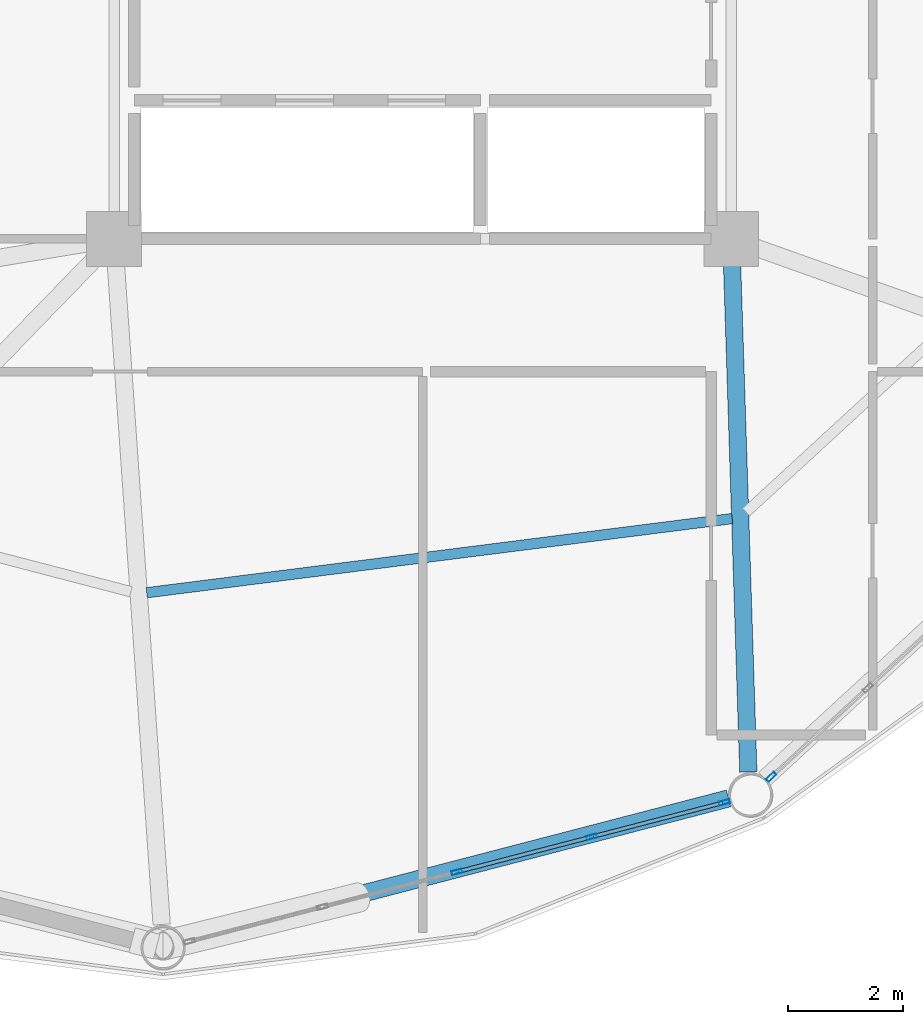
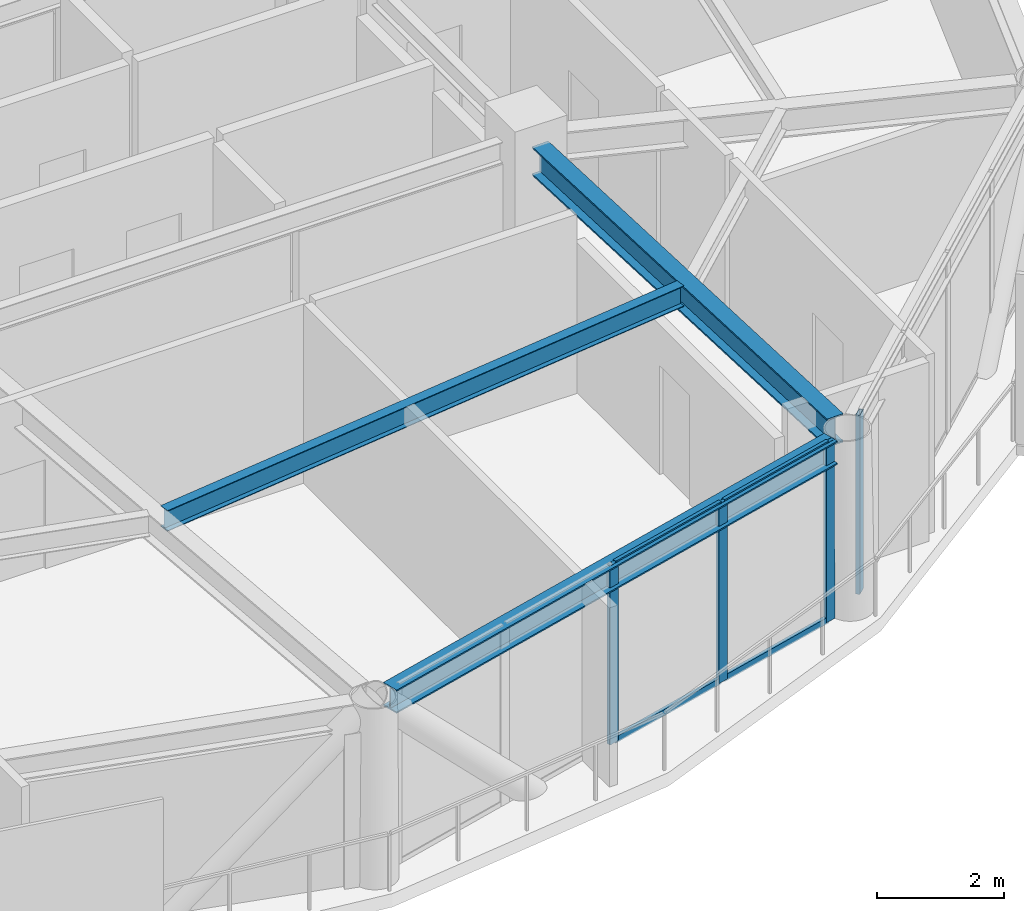
# One storey, part 8 of 26: 8 members, 3 beams, 2 elements without a shape of their own.
"""IFC4 building model written with IfcOpenShell, lengths in metres."""

from ifc_helpers import new_model, si_unit, direction, frame, origin, origin_2d, place, context, subcontext, project, spatial, hollow_rectangle, i_section, extrude, material, layer, layer_set, material_profile, profile_set, type_object, element, aggregate, save


model = new_model("IFC4")

# Units and contexts
model_context = context("Model", 3, precision=1e-05, world=origin(), true_north=direction((0.0, 1.0)))
body_context = subcontext(model_context, "Body", "Model", "MODEL_VIEW")
ifc_project = project(units=[si_unit("LENGTHUNIT", "METRE"), si_unit("AREAUNIT", "SQUARE_METRE"), si_unit("VOLUMEUNIT", "CUBIC_METRE"), si_unit("PLANEANGLEUNIT", "RADIAN"), si_unit("MASSUNIT", "GRAM", prefix="KILO")], contexts=[model_context])

# Site, building, storey
site_placement = place(None, origin())
site = spatial("IfcSite", under=ifc_project, at=site_placement, CompositionType="ELEMENT")
building_placement = place(site_placement, origin())
building = spatial("IfcBuilding", under=site, at=building_placement, Name="Varnakorn Sky Granary", CompositionType="ELEMENT")
storey_placement = place(building_placement, frame((0.0, 0.0, 165.60009765625)))
storey = spatial("IfcBuildingStorey", under=building, at=storey_placement, Name="L41", CompositionType="ELEMENT", Elevation=165.60009765625)

# Beams
ifc_material_1 = material(Name="Steel S355JR", Category="steel")
ifc_material_profile_1 = material_profile(ifc_material_1, i_section(OverallWidth=0.300048828125, OverallDepth=0.550048828125, WebThickness=0.014892578125, FlangeThickness=0.029052734375, at=origin_2d()), Name="HE 550 B")
ifc_profile_set_1 = profile_set([ifc_material_profile_1], Name="Steel S355JR")
beam_type_1 = type_object("IfcBeamType", Name="BM-RAD-Z3", PredefinedType="BEAM", material=ifc_profile_set_1)
beam_1_placement = place(storey_placement, frame((8.36328125, -7.019775390625, 3.1748046875), z_axis=(0.032002418007, -0.999487791442, 0.0), x_axis=(0.999487791442, 0.032002418007, 0.0)))
element("IfcBeam", 1, at=beam_1_placement, inside=storey, type_object=beam_type_1, Name="Radial Floor Girder RG11 L41", PredefinedType="BEAM", context=body_context, shape_type="SweptSolid", body=[
    extrude(i_section(OverallWidth=0.300048828125, OverallDepth=0.550048828125, WebThickness=0.014892578125, FlangeThickness=0.029052734375, at=origin_2d()), origin(), (0.0, 0.0, 1.0), 8.82666015625),
])
ifc_material_profile_2 = material_profile(ifc_material_1, i_section(OverallWidth=0.179931640625, OverallDepth=0.39990234375, WebThickness=0.008544921875, FlangeThickness=0.013427734375, at=origin_2d()), Name="IPE 400")
ifc_profile_set_2 = profile_set([ifc_material_profile_2], Name="Steel S355JR")
beam_type_2 = type_object("IfcBeamType", Name="BM-SEC-Z3", PredefinedType="BEAM", material=ifc_profile_set_2)
beam_2_placement = place(storey_placement, frame((-1.7841796875, -12.734375, 3.25), z_axis=(0.992070182872, 0.125685131409, 0.0), x_axis=(-0.125685131409, 0.992070182872, 0.0)))
element("IfcBeam", 2, at=beam_2_placement, inside=storey, type_object=beam_type_2, Name="Secondary Floor Chord Beam MSB10 L41", PredefinedType="BEAM", context=body_context, shape_type="SweptSolid", body=[
    extrude(i_section(OverallWidth=0.179931640625, OverallDepth=0.39990234375, WebThickness=0.008544921875, FlangeThickness=0.013427734375, at=origin_2d()), origin(), (0.0, 0.0, 1.0), 10.23095703125),
])
ifc_material_profile_3 = material_profile(ifc_material_1, i_section(OverallWidth=0.300048828125, OverallDepth=0.449951171875, WebThickness=0.013916015625, FlangeThickness=0.02587890625, at=origin_2d()), Name="HE 450 B")
ifc_profile_set_3 = profile_set([ifc_material_profile_3], Name="Steel S355JR")
beam_type_3 = type_object("IfcBeamType", Name="BM-SPD-Z3", PredefinedType="SPANDREL", material=ifc_profile_set_3)
beam_3_placement = place(storey_placement, frame((-1.145751953125, -18.7578125, 3.224853515625), z_axis=(0.967790710414, 0.251756113801, 0.0), x_axis=(-0.251756113801, 0.967790710414, 0.0)))
element("IfcBeam", 3, at=beam_3_placement, inside=storey, type_object=beam_type_3, Name="Perimeter Spandrel Ring Beam RB10 L41", PredefinedType="SPANDREL", context=body_context, shape_type="SweptSolid", body=[
    extrude(i_section(OverallWidth=0.300048828125, OverallDepth=0.449951171875, WebThickness=0.013916015625, FlangeThickness=0.02587890625, at=origin_2d()), origin(), (0.0, 0.0, 1.0), 9.763427734375),
])

# Curtain wall, members
ifc_material_2 = material(Name="Anodised Bronze Aluminium Alloy 6063-T6", Category="aluminium")
ifc_layer = layer(ifc_material_2, 0.179931640625, Name="Anodised Bronze Aluminium Alloy 6063-T6")
ifc_layer_set = layer_set([ifc_layer], Name="Anodised Bronze Aluminium Alloy 6063-T6")
curtain_wall_type = type_object("IfcCurtainWallType", Name="CW-FRM-2", PredefinedType="USERDEFINED", material=ifc_layer_set)
curtain_wall_1_placement = place(storey_placement, origin())
curtain_wall_1 = element("IfcCurtainWall", 4, at=curtain_wall_1_placement, inside=storey, type_object=curtain_wall_type, Name="Unitised Curtain Wall CW4 CW-L41-B10", ObjectType="CURTAIN WALL", PredefinedType="USERDEFINED")
ifc_material_profile_4 = material_profile(ifc_material_2, hollow_rectangle(XDim=0.070068359375, YDim=0.18505859375, WallThickness=0.00390625, at=origin_2d()), Name="ALU MULL 70x185")
ifc_profile_set_4 = profile_set([ifc_material_profile_4], Name="Anodised Bronze Aluminium Alloy 6063-T6")
member_type_1 = type_object("IfcMemberType", Name="CW-FRM-2-MULL", PredefinedType="MULLION", material=ifc_profile_set_4)
member_1_placement = place(storey_placement, frame((8.230224609375, -16.368896484375, 0.0), z_axis=(0.0, 0.0, 1.0), x_axis=(0.251563558768, -0.967840780242, 0.0)))
member_1 = element("IfcMember", 5, at=member_1_placement, type_object=member_type_1, Name="CW4 mullion 1", PredefinedType="MULLION", context=body_context, shape_type="SweptSolid", body=[
    extrude(hollow_rectangle(XDim=0.070068359375, YDim=0.18505859375, WallThickness=0.00390625, at=origin_2d()), origin(), (0.0, 0.0, 1.0), 3.449951171875),
])
member_2_placement = place(storey_placement, frame((5.929931640625, -16.966796875, 0.0), z_axis=(0.0, 0.0, 1.0), x_axis=(0.251563558768, -0.967840780242, 0.0)))
member_2 = element("IfcMember", 6, at=member_2_placement, type_object=member_type_1, Name="CW4 mullion 2", PredefinedType="MULLION", context=body_context, shape_type="SweptSolid", body=[
    extrude(hollow_rectangle(XDim=0.070068359375, YDim=0.18505859375, WallThickness=0.00390625, at=origin_2d()), origin(), (0.0, 0.0, 1.0), 3.449951171875),
])
member_3_placement = place(storey_placement, frame((3.595458984375, -17.573486328125, 0.0), z_axis=(0.0, 0.0, 1.0), x_axis=(0.251563558768, -0.967840780242, 0.0)))
member_3 = element("IfcMember", 7, at=member_3_placement, type_object=member_type_1, Name="CW4 mullion 3", PredefinedType="MULLION", context=body_context, shape_type="SweptSolid", body=[
    extrude(hollow_rectangle(XDim=0.070068359375, YDim=0.18505859375, WallThickness=0.00390625, at=origin_2d()), origin(), (0.0, 0.0, 1.0), 3.449951171875),
])

# Curtain wall, member
curtain_wall_2_placement = place(storey_placement, origin())
curtain_wall_2 = element("IfcCurtainWall", 8, at=curtain_wall_2_placement, inside=storey, type_object=curtain_wall_type, Name="Unitised Curtain Wall CW4 CW-L41-B11", ObjectType="CURTAIN WALL", PredefinedType="USERDEFINED")
member_4_placement = place(storey_placement, frame((9.041259765625, -15.9267578125, 0.0), z_axis=(0.0, 0.0, 1.0), x_axis=(0.677284882962, -0.735720862359, 0.0)))
member_4 = element("IfcMember", 9, at=member_4_placement, type_object=member_type_1, Name="CW4 mullion 5", PredefinedType="MULLION", context=body_context, shape_type="SweptSolid", body=[
    extrude(hollow_rectangle(XDim=0.070068359375, YDim=0.18505859375, WallThickness=0.00390625, at=origin_2d()), origin(), (0.0, 0.0, 1.0), 3.449951171875),
])
aggregate(curtain_wall_2, [member_4])

# Member
ifc_material_profile_5 = material_profile(ifc_material_2, hollow_rectangle(XDim=0.06494140625, YDim=0.1201171875, WallThickness=0.00341796875, at=origin_2d()), Name="ALU TRAN 65x120")
ifc_profile_set_5 = profile_set([ifc_material_profile_5], Name="Anodised Bronze Aluminium Alloy 6063-T6")
member_type_2 = type_object("IfcMemberType", Name="CW-FRM-2-TRAN", PredefinedType="USERDEFINED", material=ifc_profile_set_5)
member_5_placement = place(storey_placement, frame((8.196533203125, -16.377685546875, 0.032470703125), z_axis=(-0.967847242791, -0.251538694086, 0.0), x_axis=(0.251538694086, -0.967847242791, 0.0)))
member_5 = element("IfcMember", 10, at=member_5_placement, type_object=member_type_2, Name="CW4 transom 1.1", ObjectType="TRANSOM", PredefinedType="USERDEFINED", context=body_context, shape_type="SweptSolid", body=[
    extrude(hollow_rectangle(XDim=0.06494140625, YDim=0.1201171875, WallThickness=0.00341796875, at=origin_2d()), origin(), (0.0, 0.0, 1.0), 2.30712890625),
])

member_6_placement = place(storey_placement, frame((8.196533203125, -16.377685546875, 3.41748046875), z_axis=(-0.967847242791, -0.251538694086, 0.0), x_axis=(0.251538694086, -0.967847242791, 0.0)))
member_6 = element("IfcMember", 11, at=member_6_placement, type_object=member_type_2, Name="CW4 transom 1.2", ObjectType="TRANSOM", PredefinedType="USERDEFINED", context=body_context, shape_type="SweptSolid", body=[
    extrude(hollow_rectangle(XDim=0.06494140625, YDim=0.1201171875, WallThickness=0.00341796875, at=origin_2d()), origin(), (0.0, 0.0, 1.0), 2.30712890625),
])

member_7_placement = place(storey_placement, frame((5.89599609375, -16.9755859375, 0.032470703125), z_axis=(-0.967843829549, -0.251551826874, 0.0), x_axis=(0.251551826874, -0.967843829549, 0.0)))
member_7 = element("IfcMember", 12, at=member_7_placement, type_object=member_type_2, Name="CW4 transom 2.1", ObjectType="TRANSOM", PredefinedType="USERDEFINED", context=body_context, shape_type="SweptSolid", body=[
    extrude(hollow_rectangle(XDim=0.06494140625, YDim=0.1201171875, WallThickness=0.00341796875, at=origin_2d()), origin(), (0.0, 0.0, 1.0), 2.341796875),
])

member_8_placement = place(storey_placement, frame((5.89599609375, -16.9755859375, 3.41748046875), z_axis=(-0.967843829549, -0.251551826874, 0.0), x_axis=(0.251551826874, -0.967843829549, 0.0)))
member_8 = element("IfcMember", 13, at=member_8_placement, type_object=member_type_2, Name="CW4 transom 2.2", ObjectType="TRANSOM", PredefinedType="USERDEFINED", context=body_context, shape_type="SweptSolid", body=[
    extrude(hollow_rectangle(XDim=0.06494140625, YDim=0.1201171875, WallThickness=0.00341796875, at=origin_2d()), origin(), (0.0, 0.0, 1.0), 2.341796875),
])

aggregate(curtain_wall_1, [member_1, member_2, member_3, member_5, member_6, member_7, member_8])

save(model, "model.ifc")
